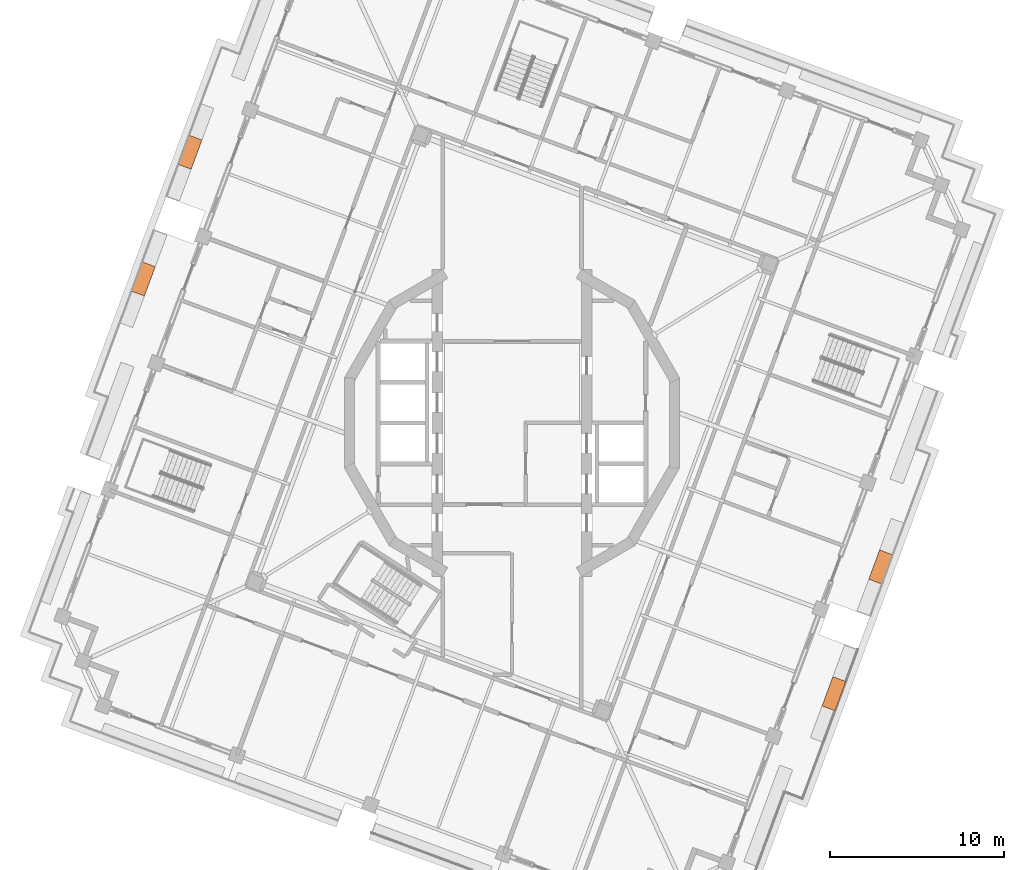
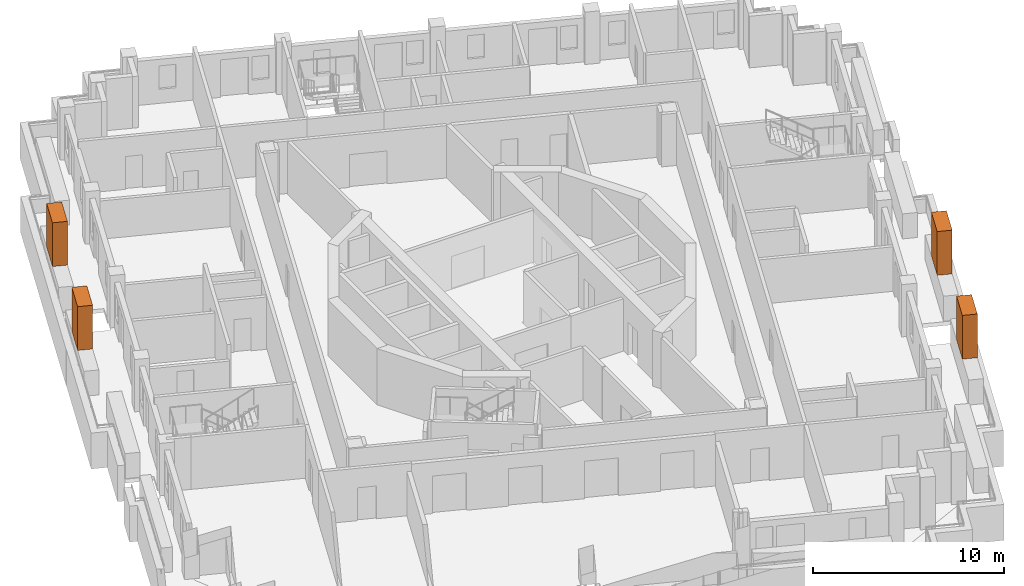
# One storey, part 18 of 18: 4 proxies.
"""IFC4 building model written with IfcOpenShell, lengths in metres."""

from ifc_helpers import new_model, si_unit, direction, frame, origin, origin_2d, place, context, subcontext, project, spatial, rectangle, extrude, element, save


model = new_model("IFC4")

# Units and contexts
model_context = context("Model", 3, precision=1e-05, world=origin(), true_north=direction((0.0, 1.0)))
body_context = subcontext(model_context, "Body", "Model", "MODEL_VIEW")
ifc_project = project(units=[si_unit("LENGTHUNIT", "METRE"), si_unit("AREAUNIT", "SQUARE_METRE"), si_unit("VOLUMEUNIT", "CUBIC_METRE"), si_unit("PLANEANGLEUNIT", "RADIAN"), si_unit("MASSUNIT", "GRAM", prefix="KILO")], contexts=[model_context])

# Site, building, storey
site_placement = place(None, origin())
site = spatial("IfcSite", under=ifc_project, at=site_placement, CompositionType="ELEMENT")
building_placement = place(site_placement, origin())
building = spatial("IfcBuilding", under=site, at=building_placement, Name="Cantera Rosa Tower", CompositionType="ELEMENT")
storey_placement = place(building_placement, frame((0.0, 0.0, 316.89990234375)))
storey = spatial("IfcBuildingStorey", under=building, at=storey_placement, Name="L70", CompositionType="ELEMENT", Elevation=316.89990234375)

# Proxies
for number, where, z_axis, x_axis, name in (
    (1, (-18.54248046875, 15.594970703125, 1.60009765625), (0.0, 0.0, 1.0), (-0.347481234489, -0.937686936924, 0.0), "TREE L70-06"),
    (2, (-21.23388671875, 8.295166015625, 1.60009765625), (0.0, 0.0, 1.0), (-0.347481234489, -0.937686936924, 0.0), "TREE L70-07"),
    (3, (18.54248046875, -15.594970703125, 1.60009765625), (0.0, 0.0, 1.0), (0.347481234489, 0.937686936924, 0.0), "TREE L70-15"),
    (4, (21.23388671875, -8.295166015625, 1.60009765625), (0.0, 0.0, 1.0), (0.347481234489, 0.937686936924, 0.0), "TREE L70-16"),
):
    element("IfcBuildingElementProxy", number, at=place(storey_placement, frame(where, z_axis=z_axis, x_axis=x_axis)), inside=storey, Name=name, ObjectType="TREE", PredefinedType="USERDEFINED", context=body_context, shape_type="SweptSolid", body=[
        extrude(rectangle(XDim=1.800048828125, YDim=0.800048828125, at=origin_2d()), origin(), (0.0, 0.0, 1.0), 2.800048828125),
    ])

save(model, "model.ifc")
